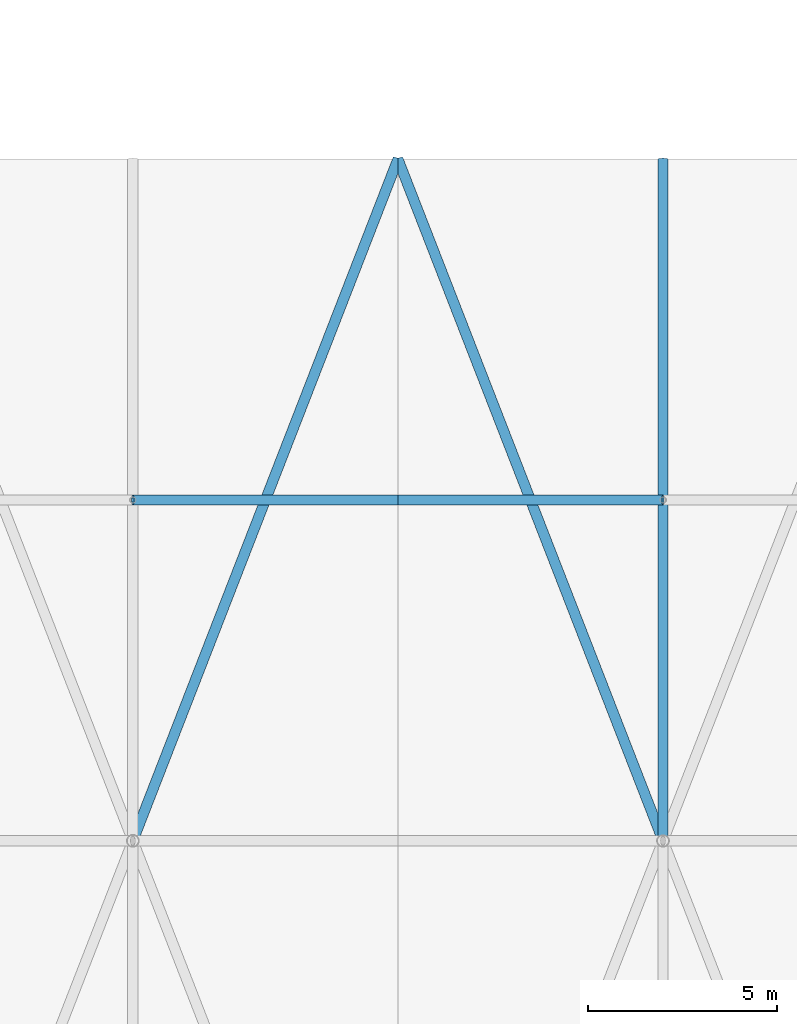
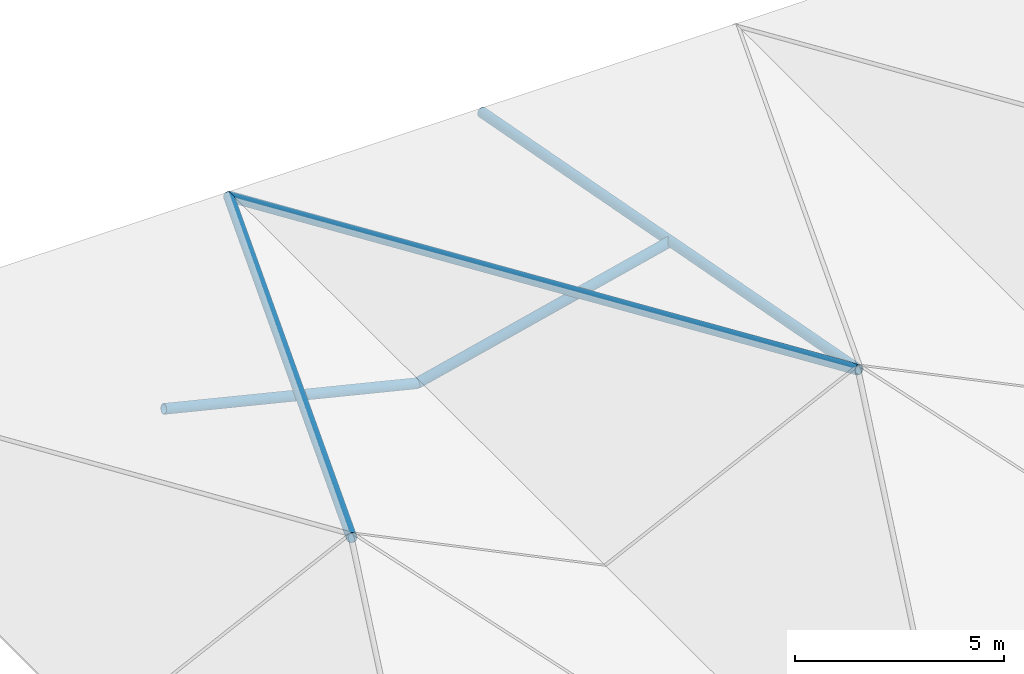
# One storey, part 48 of 93: 5 members.
"""IFC4 building model written with IfcOpenShell, lengths in metres."""

from ifc_helpers import new_model, si_unit, derived_unit, direction, frame, origin, origin_2d_with_axis, place, context, subcontext, project, spatial, hollow_circle, extrude, material, material_profile, profile_set, type_object, element, save


model = new_model("IFC4")

# Units and contexts
model_context = context("Model", 3, precision=1e-05, world=origin(), true_north=direction((0.0, 1.0)))
body_context = subcontext(model_context, "Body", "Model", "MODEL_VIEW")
ifc_project = project(units=[si_unit("LENGTHUNIT", "METRE"), si_unit("AREAUNIT", "SQUARE_METRE"), si_unit("VOLUMEUNIT", "CUBIC_METRE"), si_unit("PLANEANGLEUNIT", "RADIAN"), si_unit("MASSUNIT", "GRAM", prefix="KILO"), derived_unit("THERMALTRANSMITTANCEUNIT", [(si_unit("POWERUNIT", "WATT"), 1), (si_unit("LENGTHUNIT", "METRE"), -2), (si_unit("THERMODYNAMICTEMPERATUREUNIT", "KELVIN"), -1)])], contexts=[model_context])

# Site, building, storey
site_placement = place(None, origin())
site = spatial("IfcSite", under=ifc_project, at=site_placement, CompositionType="ELEMENT")
building_placement = place(site_placement, origin())
building = spatial("IfcBuilding", under=site, at=building_placement, Name="Cinnabar Yard Market Hall", CompositionType="ELEMENT")
storey_placement = place(building_placement, frame((0.0, 0.0, 23.800048828125)))
storey = spatial("IfcBuildingStorey", under=building, at=storey_placement, Name="ROOF", CompositionType="ELEMENT", Elevation=23.800048828125)

# Members
ifc_material = material(Name="Cold-formed steel C350L0", Category="steel")
ifc_material_profile = material_profile(ifc_material, hollow_circle(Radius=0.136474609375, WallThickness=0.00927734375, at=origin_2d_with_axis()), Name="273.1x9.3CHS")
ifc_profile_set = profile_set([ifc_material_profile], Name="Cold-formed steel C350L0")
member_type = type_object("IfcMemberType", Name="MB-TC02", PredefinedType="CHORD", material=ifc_profile_set)
member_1_placement = place(storey_placement, frame((24.0, 84.0, -15.400146484375), z_axis=(-0.356956605479, -0.917888414088, 0.173386392456), x_axis=(0.932004671541, -0.362446261155, 0.0)))
element("IfcMember", 1, at=member_1_placement, inside=storey, type_object=member_type, Name="Chhatri Hip Rafter CH1-3", PredefinedType="CHORD", context=body_context, shape_type="SweptSolid", body=[
    extrude(hollow_circle(Radius=0.136474609375, WallThickness=0.00927734375, at=origin_2d_with_axis()), origin(), (0.0, 0.0, 1.0), 19.610107421875),
])
member_2_placement = place(storey_placement, frame((17.0, 75.0, -13.699951171875), z_axis=(0.971747485636, 0.0, -0.23602293143), x_axis=(0.0, 1.0, 0.0)))
element("IfcMember", 2, at=member_2_placement, inside=storey, type_object=member_type, Name="Chhatri Rafter CH1-75B", PredefinedType="CHORD", context=body_context, shape_type="SweptSolid", body=[
    extrude(hollow_circle(Radius=0.136474609375, WallThickness=0.00927734375, at=origin_2d_with_axis()), origin(), (0.0, 0.0, 1.0), 7.20361328125),
])
member_3_placement = place(storey_placement, frame((24.0, 84.0, -15.400146484375), z_axis=(0.356956605479, -0.917888414088, 0.173386392456), x_axis=(0.932004671541, 0.362446261155, 0.0)))
element("IfcMember", 3, at=member_3_placement, inside=storey, type_object=member_type, Name="Chhatri Hip Rafter CH2-4", PredefinedType="CHORD", context=body_context, shape_type="SweptSolid", body=[
    extrude(hollow_circle(Radius=0.136474609375, WallThickness=0.00927734375, at=origin_2d_with_axis()), origin(), (0.0, 0.0, 1.0), 19.610107421875),
])
member_4_placement = place(storey_placement, frame((31.0, 84.0, -15.400146484375), z_axis=(0.0, -0.982622643196, 0.185614495874), x_axis=(1.0, 0.0, 0.0)))
element("IfcMember", 4, at=member_4_placement, inside=storey, type_object=member_type, Name="Chhatri Hip Rafter CH2-6", PredefinedType="CHORD", context=body_context, shape_type="SweptSolid", body=[
    extrude(hollow_circle(Radius=0.136474609375, WallThickness=0.00927734375, at=origin_2d_with_axis()), origin(), (0.0, 0.0, 1.0), 18.318359375),
])
member_5_placement = place(storey_placement, frame((24.0, 75.0, -15.400146484375), z_axis=(0.971747485636, 0.0, 0.23602293143), x_axis=(0.0, 1.0, 0.0)))
element("IfcMember", 5, at=member_5_placement, inside=storey, type_object=member_type, Name="Chhatri Rafter CH2-75A", PredefinedType="CHORD", context=body_context, shape_type="SweptSolid", body=[
    extrude(hollow_circle(Radius=0.136474609375, WallThickness=0.00927734375, at=origin_2d_with_axis()), origin(), (0.0, 0.0, 1.0), 7.20361328125),
])

save(model, "model.ifc")
